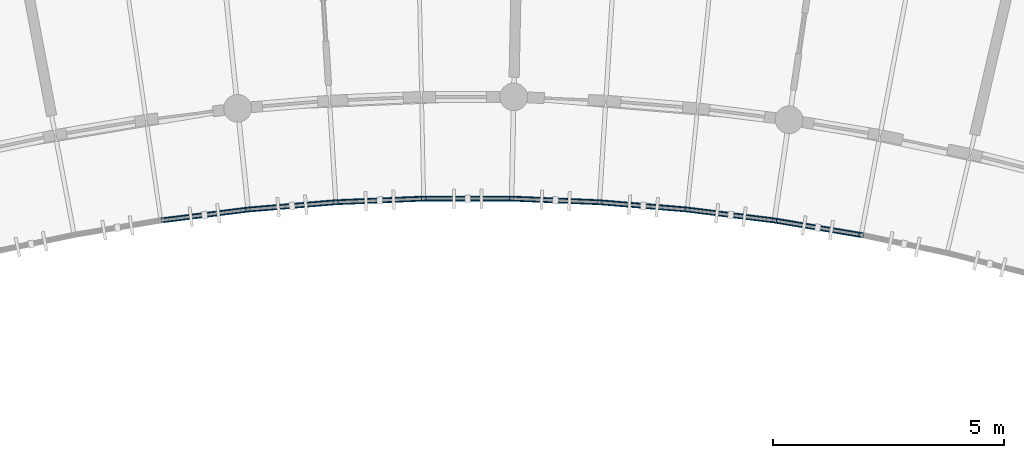
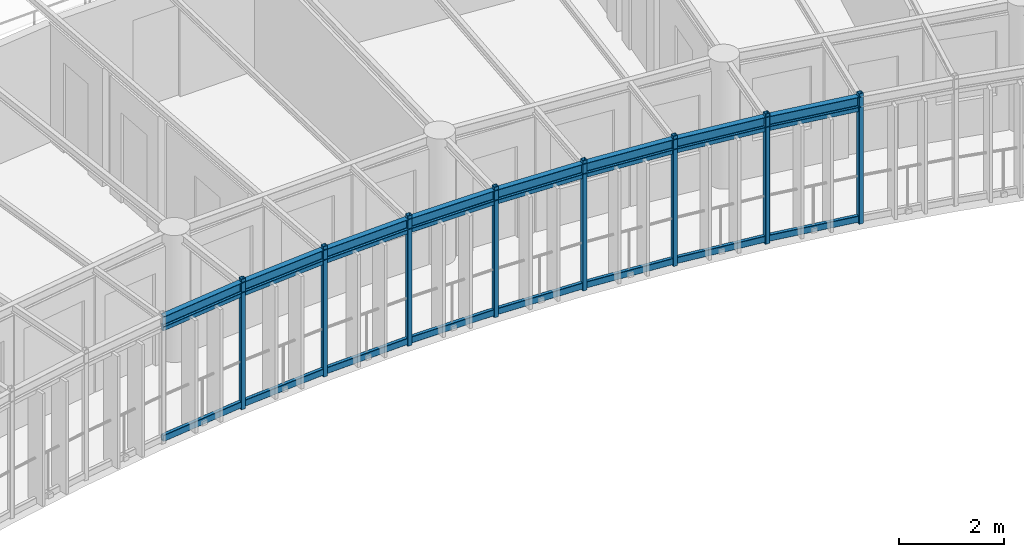
# One storey, part 29 of 100: 24 members, 8 beams.
"""IFC4 building model written with IfcOpenShell, lengths in metres."""

from ifc_helpers import new_model, si_unit, direction, frame, origin, origin_2d, place, context, subcontext, project, spatial, hollow_rectangle, i_section, extrude, material, material_profile, profile_set, type_object, element, save


model = new_model("IFC4")

# Units and contexts
model_context = context("Model", 3, precision=1e-05, world=origin(), true_north=direction((0.0, 1.0)))
body_context = subcontext(model_context, "Body", "Model", "MODEL_VIEW")
ifc_project = project(units=[si_unit("LENGTHUNIT", "METRE"), si_unit("AREAUNIT", "SQUARE_METRE"), si_unit("VOLUMEUNIT", "CUBIC_METRE"), si_unit("PLANEANGLEUNIT", "RADIAN"), si_unit("MASSUNIT", "GRAM", prefix="KILO"), si_unit("POWERUNIT", "WATT"), si_unit("THERMODYNAMICTEMPERATUREUNIT", "KELVIN")], contexts=[model_context])

# Site, building, storey
site_placement = place(None, origin())
site = spatial("IfcSite", under=ifc_project, at=site_placement, CompositionType="ELEMENT")
building_placement = place(site_placement, origin())
building = spatial("IfcBuilding", under=site, at=building_placement, Name="Ruvembo Vaulted Housing Court", CompositionType="ELEMENT")
storey_placement = place(building_placement, frame((0.0, 0.0, 14.10009765625)))
storey = spatial("IfcBuildingStorey", under=building, at=storey_placement, Name="L04", CompositionType="ELEMENT", Elevation=14.10009765625)

# Beams
ifc_material = material(Name="Steel S355J2", Category="steel")
ifc_material_profile_1 = material_profile(ifc_material, i_section(OverallWidth=0.1201171875, OverallDepth=0.239990234375, WebThickness=0.006103515625, FlangeThickness=0.009765625, FilletRadius=0.014892578125, at=origin_2d()), Name="IPE 240")
ifc_profile_set_1 = profile_set([ifc_material_profile_1], Name="Steel S355J2")
beam_type = type_object("IfcBeamType", Name="BM-ST-IPE240", PredefinedType="BEAM", material=ifc_profile_set_1)
for number, where, z_axis, x_axis, name in (
    (1, (110.369140625, 95.3173828125, 2.81982421875), (0.992244255502, 0.124303408739, 0.0), (-0.124303408739, 0.992244255502, 0.0), "Scoop SC3 L04 Balcony Edge Spandrel 11"),
    (2, (112.255615234375, 95.5537109375, 2.81982421875), (0.99656344911, 0.082832915551, 0.0), (-0.082832915551, 0.99656344911, 0.0), "Scoop SC3 L04 Balcony Edge Spandrel 12"),
    (3, (114.150146484375, 95.711181640625, 2.81982421875), (0.999139293915, 0.041480975827, 0.0), (-0.041480975827, 0.999139293915, 0.0), "Scoop SC3 L04 Balcony Edge Spandrel 13"),
):
    element("IfcBeam", number, at=place(storey_placement, frame(where, z_axis=z_axis, x_axis=x_axis)), inside=storey, type_object=beam_type, Name=name, PredefinedType="BEAM", context=body_context, shape_type="SweptSolid", body=[
        extrude(i_section(OverallWidth=0.1201171875, OverallDepth=0.239990234375, WebThickness=0.006103515625, FlangeThickness=0.009765625, FilletRadius=0.014892578125, at=origin_2d()), origin(), (0.0, 0.0, 1.0), 1.901123046875),
    ])
beam_1_placement = place(storey_placement, frame((116.049560546875, 95.7900390625, 2.81982421875), z_axis=(1.0, 0.0, 0.0), x_axis=(0.0, 1.0, 0.0)))
element("IfcBeam", 4, at=beam_1_placement, inside=storey, type_object=beam_type, Name="Scoop SC3 L04 Balcony Edge Spandrel 14", PredefinedType="BEAM", context=body_context, shape_type="SweptSolid", body=[
    extrude(i_section(OverallWidth=0.1201171875, OverallDepth=0.239990234375, WebThickness=0.006103515625, FlangeThickness=0.009765625, FilletRadius=0.014892578125, at=origin_2d()), origin(), (0.0, 0.0, 1.0), 1.90087890625),
])
for number, where, z_axis, x_axis, name in (
    (5, (117.950439453125, 95.7900390625, 2.81982421875), (0.999139293915, -0.041480975827, 0.0), (0.041480975827, 0.999139293915, 0.0), "Scoop SC3 L04 Balcony Edge Spandrel 15"),
    (6, (119.849853515625, 95.711181640625, 2.81982421875), (0.99656344911, -0.082832915551, 0.0), (0.082832915551, 0.99656344911, 0.0), "Scoop SC3 L04 Balcony Edge Spandrel 16"),
    (7, (121.744384765625, 95.5537109375, 2.81982421875), (0.992244255502, -0.124303408739, 0.0), (0.124303408739, 0.992244255502, 0.0), "Scoop SC3 L04 Balcony Edge Spandrel 17"),
):
    element("IfcBeam", number, at=place(storey_placement, frame(where, z_axis=z_axis, x_axis=x_axis)), inside=storey, type_object=beam_type, Name=name, PredefinedType="BEAM", context=body_context, shape_type="SweptSolid", body=[
        extrude(i_section(OverallWidth=0.1201171875, OverallDepth=0.239990234375, WebThickness=0.006103515625, FlangeThickness=0.009765625, FilletRadius=0.014892578125, at=origin_2d()), origin(), (0.0, 0.0, 1.0), 1.901123046875),
    ])
beam_2_placement = place(storey_placement, frame((123.630859375, 95.3173828125, 2.81982421875), z_axis=(0.986265186139, -0.165169557153, 0.0), x_axis=(0.165169557153, 0.986265186139, 0.0)))
element("IfcBeam", 8, at=beam_2_placement, inside=storey, type_object=beam_type, Name="Scoop SC3 L04 Balcony Edge Spandrel 18", PredefinedType="BEAM", context=body_context, shape_type="SweptSolid", body=[
    extrude(i_section(OverallWidth=0.1201171875, OverallDepth=0.239990234375, WebThickness=0.006103515625, FlangeThickness=0.009765625, FilletRadius=0.014892578125, at=origin_2d()), origin(), (0.0, 0.0, 1.0), 1.90087890625),
])

# Members
ifc_material_profile_2 = material_profile(ifc_material, hollow_rectangle(XDim=0.06005859375, YDim=0.1201171875, WallThickness=0.0048828125, InnerFilletRadius=0.0048828125, OuterFilletRadius=0.010009765625, at=origin_2d()), Name="RHS 120x60x5")
ifc_profile_set_2 = profile_set([ifc_material_profile_2], Name="Steel S355J2")
member_type_1 = type_object("IfcMemberType", Name="MEM-CAR-RHS120", PredefinedType="CHORD", material=ifc_profile_set_2)
for number, where, z_axis, x_axis, name in (
    (9, (110.369140625, 95.3173828125, 2.642822265625), (0.992244255502, 0.124303408739, 0.0), (-0.124303408739, 0.992244255502, 0.0), "Scoop SC3 L04 Upper Louvre Carrier Rail 11"),
    (10, (112.255615234375, 95.5537109375, 2.642822265625), (0.99656344911, 0.082832915551, 0.0), (-0.082832915551, 0.99656344911, 0.0), "Scoop SC3 L04 Upper Louvre Carrier Rail 12"),
    (11, (114.150146484375, 95.711181640625, 2.642822265625), (0.999139293915, 0.041480975827, 0.0), (-0.041480975827, 0.999139293915, 0.0), "Scoop SC3 L04 Upper Louvre Carrier Rail 13"),
):
    element("IfcMember", number, at=place(storey_placement, frame(where, z_axis=z_axis, x_axis=x_axis)), inside=storey, type_object=member_type_1, Name=name, PredefinedType="CHORD", context=body_context, shape_type="SweptSolid", body=[
        extrude(hollow_rectangle(XDim=0.06005859375, YDim=0.1201171875, WallThickness=0.0048828125, InnerFilletRadius=0.0048828125, OuterFilletRadius=0.010009765625, at=origin_2d()), origin(), (0.0, 0.0, 1.0), 1.901123046875),
    ])
member_1_placement = place(storey_placement, frame((116.049560546875, 95.7900390625, 2.642822265625), z_axis=(1.0, 0.0, 0.0), x_axis=(0.0, 1.0, 0.0)))
element("IfcMember", 12, at=member_1_placement, inside=storey, type_object=member_type_1, Name="Scoop SC3 L04 Upper Louvre Carrier Rail 14", PredefinedType="CHORD", context=body_context, shape_type="SweptSolid", body=[
    extrude(hollow_rectangle(XDim=0.06005859375, YDim=0.1201171875, WallThickness=0.0048828125, InnerFilletRadius=0.0048828125, OuterFilletRadius=0.010009765625, at=origin_2d()), origin(), (0.0, 0.0, 1.0), 1.90087890625),
])
for number, where, z_axis, x_axis, name in (
    (13, (117.950439453125, 95.7900390625, 2.642822265625), (0.999139293915, -0.041480975827, 0.0), (0.041480975827, 0.999139293915, 0.0), "Scoop SC3 L04 Upper Louvre Carrier Rail 15"),
    (14, (119.849853515625, 95.711181640625, 2.642822265625), (0.99656344911, -0.082832915551, 0.0), (0.082832915551, 0.99656344911, 0.0), "Scoop SC3 L04 Upper Louvre Carrier Rail 16"),
    (15, (121.744384765625, 95.5537109375, 2.642822265625), (0.992244255502, -0.124303408739, 0.0), (0.124303408739, 0.992244255502, 0.0), "Scoop SC3 L04 Upper Louvre Carrier Rail 17"),
):
    element("IfcMember", number, at=place(storey_placement, frame(where, z_axis=z_axis, x_axis=x_axis)), inside=storey, type_object=member_type_1, Name=name, PredefinedType="CHORD", context=body_context, shape_type="SweptSolid", body=[
        extrude(hollow_rectangle(XDim=0.06005859375, YDim=0.1201171875, WallThickness=0.0048828125, InnerFilletRadius=0.0048828125, OuterFilletRadius=0.010009765625, at=origin_2d()), origin(), (0.0, 0.0, 1.0), 1.901123046875),
    ])
member_2_placement = place(storey_placement, frame((123.630859375, 95.3173828125, 2.642822265625), z_axis=(0.986265186139, -0.165169557153, 0.0), x_axis=(0.165169557153, 0.986265186139, 0.0)))
element("IfcMember", 16, at=member_2_placement, inside=storey, type_object=member_type_1, Name="Scoop SC3 L04 Upper Louvre Carrier Rail 18", PredefinedType="CHORD", context=body_context, shape_type="SweptSolid", body=[
    extrude(hollow_rectangle(XDim=0.06005859375, YDim=0.1201171875, WallThickness=0.0048828125, InnerFilletRadius=0.0048828125, OuterFilletRadius=0.010009765625, at=origin_2d()), origin(), (0.0, 0.0, 1.0), 1.90087890625),
])
ifc_material_profile_3 = material_profile(ifc_material, hollow_rectangle(XDim=0.080078125, YDim=0.14990234375, WallThickness=0.00634765625, InnerFilletRadius=0.00634765625, OuterFilletRadius=0.0126953125, at=origin_2d()), Name="RHS 150x80x6.3")
ifc_profile_set_3 = profile_set([ifc_material_profile_3], Name="Steel S355J2")
member_type_2 = type_object("IfcMemberType", Name="MEM-CAR-RHS150", PredefinedType="CHORD", material=ifc_profile_set_3)
for number, where, z_axis, x_axis, name in (
    (17, (110.369140625, 95.3173828125, 0.094970703125), (0.992244255502, 0.124303408739, 0.0), (-0.124303408739, 0.992244255502, 0.0), "Scoop SC3 L04 Lower Louvre Carrier Rail 11"),
    (18, (112.255615234375, 95.5537109375, 0.094970703125), (0.99656344911, 0.082832915551, 0.0), (-0.082832915551, 0.99656344911, 0.0), "Scoop SC3 L04 Lower Louvre Carrier Rail 12"),
    (19, (114.150146484375, 95.711181640625, 0.094970703125), (0.999139293915, 0.041480975827, 0.0), (-0.041480975827, 0.999139293915, 0.0), "Scoop SC3 L04 Lower Louvre Carrier Rail 13"),
):
    element("IfcMember", number, at=place(storey_placement, frame(where, z_axis=z_axis, x_axis=x_axis)), inside=storey, type_object=member_type_2, Name=name, PredefinedType="CHORD", context=body_context, shape_type="SweptSolid", body=[
        extrude(hollow_rectangle(XDim=0.080078125, YDim=0.14990234375, WallThickness=0.00634765625, InnerFilletRadius=0.00634765625, OuterFilletRadius=0.0126953125, at=origin_2d()), origin(), (0.0, 0.0, 1.0), 1.901123046875),
    ])
member_3_placement = place(storey_placement, frame((116.049560546875, 95.7900390625, 0.094970703125), z_axis=(1.0, 0.0, 0.0), x_axis=(0.0, 1.0, 0.0)))
element("IfcMember", 20, at=member_3_placement, inside=storey, type_object=member_type_2, Name="Scoop SC3 L04 Lower Louvre Carrier Rail 14", PredefinedType="CHORD", context=body_context, shape_type="SweptSolid", body=[
    extrude(hollow_rectangle(XDim=0.080078125, YDim=0.14990234375, WallThickness=0.00634765625, InnerFilletRadius=0.00634765625, OuterFilletRadius=0.0126953125, at=origin_2d()), origin(), (0.0, 0.0, 1.0), 1.90087890625),
])
for number, where, z_axis, x_axis, name in (
    (21, (117.950439453125, 95.7900390625, 0.094970703125), (0.999139293915, -0.041480975827, 0.0), (0.041480975827, 0.999139293915, 0.0), "Scoop SC3 L04 Lower Louvre Carrier Rail 15"),
    (22, (119.849853515625, 95.711181640625, 0.094970703125), (0.99656344911, -0.082832915551, 0.0), (0.082832915551, 0.99656344911, 0.0), "Scoop SC3 L04 Lower Louvre Carrier Rail 16"),
    (23, (121.744384765625, 95.5537109375, 0.094970703125), (0.992244255502, -0.124303408739, 0.0), (0.124303408739, 0.992244255502, 0.0), "Scoop SC3 L04 Lower Louvre Carrier Rail 17"),
):
    element("IfcMember", number, at=place(storey_placement, frame(where, z_axis=z_axis, x_axis=x_axis)), inside=storey, type_object=member_type_2, Name=name, PredefinedType="CHORD", context=body_context, shape_type="SweptSolid", body=[
        extrude(hollow_rectangle(XDim=0.080078125, YDim=0.14990234375, WallThickness=0.00634765625, InnerFilletRadius=0.00634765625, OuterFilletRadius=0.0126953125, at=origin_2d()), origin(), (0.0, 0.0, 1.0), 1.901123046875),
    ])
member_4_placement = place(storey_placement, frame((123.630859375, 95.3173828125, 0.094970703125), z_axis=(0.986265186139, -0.165169557153, 0.0), x_axis=(0.165169557153, 0.986265186139, 0.0)))
element("IfcMember", 24, at=member_4_placement, inside=storey, type_object=member_type_2, Name="Scoop SC3 L04 Lower Louvre Carrier Rail 18", PredefinedType="CHORD", context=body_context, shape_type="SweptSolid", body=[
    extrude(hollow_rectangle(XDim=0.080078125, YDim=0.14990234375, WallThickness=0.00634765625, InnerFilletRadius=0.00634765625, OuterFilletRadius=0.0126953125, at=origin_2d()), origin(), (0.0, 0.0, 1.0), 1.90087890625),
])
ifc_material_profile_4 = material_profile(ifc_material, hollow_rectangle(XDim=0.10009765625, YDim=0.10009765625, WallThickness=0.00634765625, InnerFilletRadius=0.00634765625, OuterFilletRadius=0.0126953125, at=origin_2d()), Name="SHS 100x100x6.3")
ifc_profile_set_4 = profile_set([ifc_material_profile_4], Name="Steel S355J2")
member_type_3 = type_object("IfcMemberType", Name="MEM-FRM-SHS100", PredefinedType="STRUT", material=ifc_profile_set_4)
for number, where, z_axis, x_axis, name in (
    (25, (112.255615234375, 95.5537109375, -0.01513671875), (0.0, 0.0, 1.0), (1.0, 0.0, 0.0), "Scoop SC3 L04 Louvre Frame Post 12"),
    (26, (114.150146484375, 95.711181640625, -0.01513671875), (0.0, 0.0, 1.0), (1.0, 0.0, 0.0), "Scoop SC3 L04 Louvre Frame Post 13"),
    (27, (116.049560546875, 95.7900390625, -0.01513671875), (0.0, 0.0, 1.0), (1.0, 0.0, 0.0), "Scoop SC3 L04 Louvre Frame Post 14"),
    (28, (117.950439453125, 95.7900390625, -0.01513671875), (0.0, 0.0, 1.0), (1.0, 0.0, 0.0), "Scoop SC3 L04 Louvre Frame Post 15"),
    (29, (119.849853515625, 95.711181640625, -0.01513671875), (0.0, 0.0, 1.0), (1.0, 0.0, 0.0), "Scoop SC3 L04 Louvre Frame Post 16"),
    (30, (121.744384765625, 95.5537109375, -0.01513671875), (0.0, 0.0, 1.0), (1.0, 0.0, 0.0), "Scoop SC3 L04 Louvre Frame Post 17"),
    (31, (123.630859375, 95.3173828125, -0.01513671875), (0.0, 0.0, 1.0), (1.0, 0.0, 0.0), "Scoop SC3 L04 Louvre Frame Post 18"),
    (32, (125.505615234375, 95.00341796875, -0.01513671875), (0.0, 0.0, 1.0), (1.0, 0.0, 0.0), "Scoop SC3 L04 Louvre Frame Post 19"),
):
    element("IfcMember", number, at=place(storey_placement, frame(where, z_axis=z_axis, x_axis=x_axis)), inside=storey, type_object=member_type_3, Name=name, PredefinedType="STRUT", context=body_context, shape_type="SweptSolid", body=[
        extrude(hollow_rectangle(XDim=0.10009765625, YDim=0.10009765625, WallThickness=0.00634765625, InnerFilletRadius=0.00634765625, OuterFilletRadius=0.0126953125, at=origin_2d()), origin(), (0.0, 0.0, 1.0), 3.02294921875),
    ])

save(model, "model.ifc")
